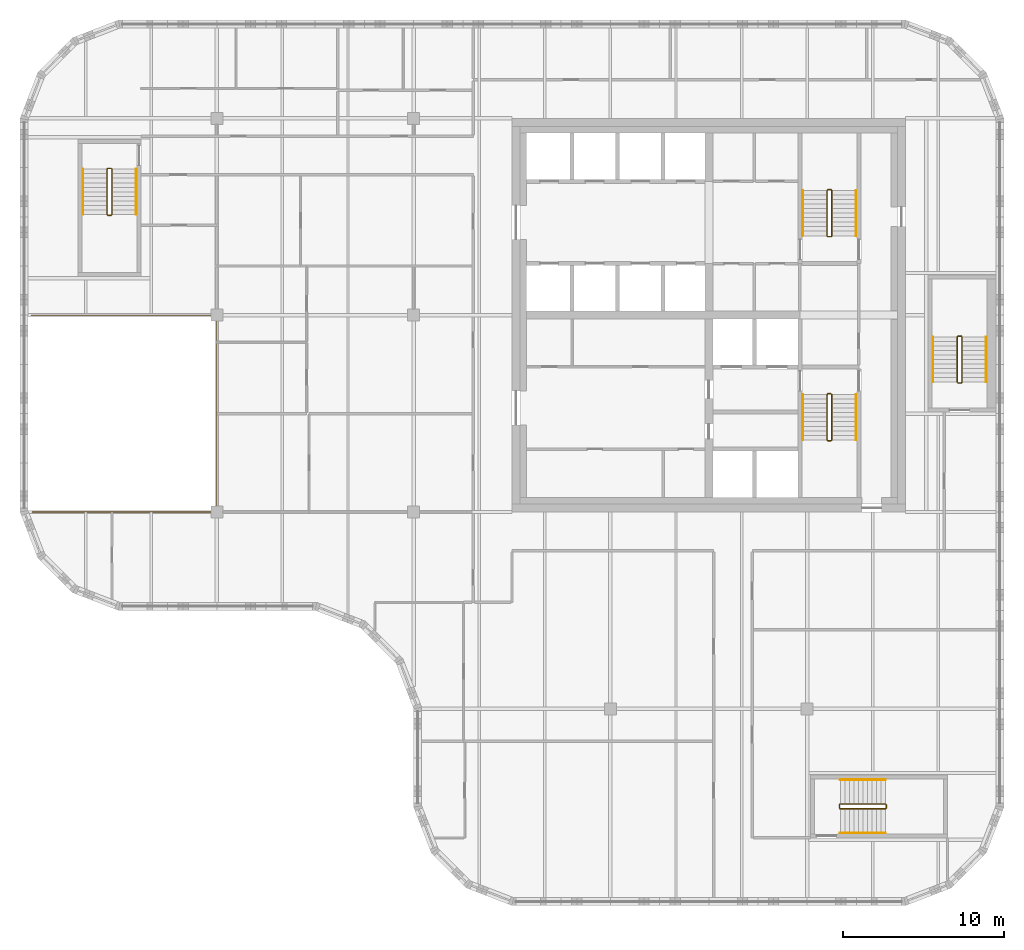
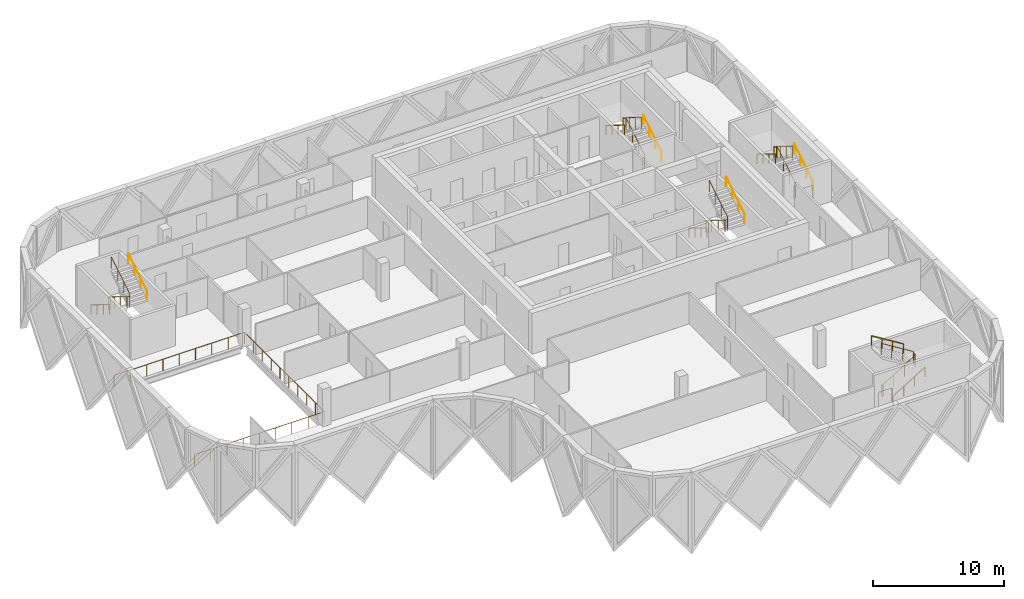
# One storey, part 15 of 15: 16 railings.
"""IFC4 building model written with IfcOpenShell, lengths in metres."""

from ifc_helpers import new_model, si_unit, direction, frame, origin, origin_2d, place, context, subcontext, project, spatial, circle, extrude, material, type_object, element, save


model = new_model("IFC4")

# Units and contexts
model_context = context("Model", 3, precision=1e-05, world=origin(), true_north=direction((0.0, 1.0)))
body_context = subcontext(model_context, "Body", "Model", "MODEL_VIEW")
ifc_project = project(units=[si_unit("LENGTHUNIT", "METRE"), si_unit("AREAUNIT", "SQUARE_METRE"), si_unit("VOLUMEUNIT", "CUBIC_METRE"), si_unit("PLANEANGLEUNIT", "RADIAN"), si_unit("MASSUNIT", "GRAM", prefix="KILO")], contexts=[model_context])

# Site, building, storey
site_placement = place(None, origin())
site = spatial("IfcSite", under=ifc_project, at=site_placement, CompositionType="ELEMENT")
building_placement = place(site_placement, origin())
building = spatial("IfcBuilding", under=site, at=building_placement, Name="Tessera Gate Towers", CompositionType="ELEMENT")
storey_placement = place(building_placement, frame((0.0, 0.0, 228.300048828125)))
storey = spatial("IfcBuildingStorey", under=building, at=storey_placement, Name="L57", CompositionType="ELEMENT", Elevation=228.300048828125)

# Railings
ifc_material_1 = material(Name="Toughened glass with stainless steel handrail", Category="steel")
railing_type_1 = type_object("IfcRailingType", Name="GUARD 1100 GLASS BALUSTRADE", PredefinedType="GUARDRAIL", material=ifc_material_1)
railing_1_placement = place(storey_placement, frame((0.750244140625, 24.39990234375, 0.0)))
element("IfcRailing", 1, at=railing_1_placement, inside=storey, type_object=railing_type_1, Name="Guard", PredefinedType="GUARDRAIL", context=body_context, shape_type="SweptSolid", body=[
    extrude(circle(Radius=0.02490234375, at=origin_2d()), frame((0.0, 0.0, 1.0751953125), z_axis=(1.0, 0.0, 0.0), x_axis=(0.0, 1.0, 0.0)), (0.0, 0.0, 1.0), 11.44970703125),
    extrude(circle(Radius=0.02490234375, at=origin_2d()), frame((11.44970703125, 0.0, 1.0751953125), z_axis=(0.0, 1.0, 0.0), x_axis=(-1.0, 0.0, 0.0)), (0.0, 0.0, 1.0), 12.2001953125),
    extrude(circle(Radius=0.02490234375, at=origin_2d()), frame((11.44970703125, 12.2001953125, 1.0751953125), z_axis=(-1.0, 0.0, 0.0), x_axis=(0.0, -1.0, 0.0)), (0.0, 0.0, 1.0), 11.5),
    extrude(circle(Radius=0.02490234375, at=origin_2d()), origin(), (0.0, 0.0, 1.0), 1.050048828125),
    extrude(circle(Radius=0.02490234375, at=origin_2d()), frame((1.43115234375, 0.0, 0.0)), (0.0, 0.0, 1.0), 1.050048828125),
    extrude(circle(Radius=0.02490234375, at=origin_2d()), frame((2.8623046875, 0.0, 0.0)), (0.0, 0.0, 1.0), 1.050048828125),
    extrude(circle(Radius=0.02490234375, at=origin_2d()), frame((4.293701171875, 0.0, 0.0)), (0.0, 0.0, 1.0), 1.050048828125),
    extrude(circle(Radius=0.02490234375, at=origin_2d()), frame((5.724853515625, 0.0, 0.0)), (0.0, 0.0, 1.0), 1.050048828125),
    extrude(circle(Radius=0.02490234375, at=origin_2d()), frame((7.156005859375, 0.0, 0.0)), (0.0, 0.0, 1.0), 1.050048828125),
    extrude(circle(Radius=0.02490234375, at=origin_2d()), frame((8.58740234375, 0.0, 0.0)), (0.0, 0.0, 1.0), 1.050048828125),
    extrude(circle(Radius=0.02490234375, at=origin_2d()), frame((10.0185546875, 0.0, 0.0)), (0.0, 0.0, 1.0), 1.050048828125),
    extrude(circle(Radius=0.02490234375, at=origin_2d()), frame((11.44970703125, 0.0, 0.0)), (0.0, 0.0, 1.0), 1.050048828125),
    extrude(circle(Radius=0.02490234375, at=origin_2d()), frame((11.44970703125, 1.35546875, 0.0)), (0.0, 0.0, 1.0), 1.050048828125),
    extrude(circle(Radius=0.02490234375, at=origin_2d()), frame((11.44970703125, 2.711181640625, 0.0)), (0.0, 0.0, 1.0), 1.050048828125),
    extrude(circle(Radius=0.02490234375, at=origin_2d()), frame((11.44970703125, 4.066650390625, 0.0)), (0.0, 0.0, 1.0), 1.050048828125),
    extrude(circle(Radius=0.02490234375, at=origin_2d()), frame((11.44970703125, 5.42236328125, 0.0)), (0.0, 0.0, 1.0), 1.050048828125),
    extrude(circle(Radius=0.02490234375, at=origin_2d()), frame((11.44970703125, 6.77783203125, 0.0)), (0.0, 0.0, 1.0), 1.050048828125),
    extrude(circle(Radius=0.02490234375, at=origin_2d()), frame((11.44970703125, 8.133544921875, 0.0)), (0.0, 0.0, 1.0), 1.050048828125),
    extrude(circle(Radius=0.02490234375, at=origin_2d()), frame((11.44970703125, 9.489013671875, 0.0)), (0.0, 0.0, 1.0), 1.050048828125),
    extrude(circle(Radius=0.02490234375, at=origin_2d()), frame((11.44970703125, 10.8447265625, 0.0)), (0.0, 0.0, 1.0), 1.050048828125),
    extrude(circle(Radius=0.02490234375, at=origin_2d()), frame((11.44970703125, 12.2001953125, 0.0)), (0.0, 0.0, 1.0), 1.050048828125),
    extrude(circle(Radius=0.02490234375, at=origin_2d()), frame((10.01220703125, 12.2001953125, 0.0)), (0.0, 0.0, 1.0), 1.050048828125),
    extrude(circle(Radius=0.02490234375, at=origin_2d()), frame((8.57470703125, 12.2001953125, 0.0)), (0.0, 0.0, 1.0), 1.050048828125),
    extrude(circle(Radius=0.02490234375, at=origin_2d()), frame((7.13720703125, 12.2001953125, 0.0)), (0.0, 0.0, 1.0), 1.050048828125),
    extrude(circle(Radius=0.02490234375, at=origin_2d()), frame((5.69970703125, 12.2001953125, 0.0)), (0.0, 0.0, 1.0), 1.050048828125),
    extrude(circle(Radius=0.02490234375, at=origin_2d()), frame((4.26220703125, 12.2001953125, 0.0)), (0.0, 0.0, 1.0), 1.050048828125),
    extrude(circle(Radius=0.02490234375, at=origin_2d()), frame((2.82470703125, 12.2001953125, 0.0)), (0.0, 0.0, 1.0), 1.050048828125),
    extrude(circle(Radius=0.02490234375, at=origin_2d()), frame((1.38720703125, 12.2001953125, 0.0)), (0.0, 0.0, 1.0), 1.050048828125),
    extrude(circle(Radius=0.02490234375, at=origin_2d()), frame((-0.05029296875, 12.2001953125, 0.0)), (0.0, 0.0, 1.0), 1.050048828125),
])
ifc_material_2 = material(Name="Steel 350W", Category="steel")
railing_type_2 = type_object("IfcRailingType", Name="STAIR GUARD 1100", PredefinedType="GUARDRAIL", material=ifc_material_2)
railing_2_placement = place(storey_placement, frame((50.27490234375, 31.72509765625, 0.0)))
element("IfcRailing", 2, at=railing_2_placement, inside=storey, type_object=railing_type_2, Name="L57 ST1 stair guard 1", PredefinedType="GUARDRAIL", context=body_context, shape_type="SweptSolid", body=[
    extrude(circle(Radius=0.02392578125, at=origin_2d()), frame((0.0, 0.0, 1.076171875), z_axis=(-1.0, 0.0, 0.0), x_axis=(0.0, -1.0, 0.0)), (0.0, 0.0, 1.0), 0.199951171875),
    extrude(circle(Radius=0.02392578125, at=origin_2d()), frame((-0.199951171875, 0.0, 1.076171875), z_axis=(-0.268277960024, -0.268277960024, 0.925231793839), x_axis=(0.707106781187, -0.707106781187, 0.0)), (0.0, 0.0, 1.0), 0.1865234375),
    extrude(circle(Radius=0.02392578125, at=origin_2d()), frame((-0.25, -0.050048828125, 1.24853515625), z_axis=(0.0, -0.851089632645, 0.525020415988), x_axis=(1.0, 0.0, 0.0)), (0.0, 0.0, 1.0), 3.2900390625),
    extrude(circle(Radius=0.02392578125, at=origin_2d()), frame((-0.25, -2.85009765625, 2.97607421875), z_axis=(0.707106781187, -0.707106781187, 0.0), x_axis=(0.707106781187, 0.707106781187, 0.0)), (0.0, 0.0, 1.0), 0.07080078125),
    extrude(circle(Radius=0.02392578125, at=origin_2d()), frame((-0.199951171875, -2.900146484375, 2.97607421875), z_axis=(1.0, 0.0, 0.0), x_axis=(0.0, 1.0, 0.0)), (0.0, 0.0, 1.0), 0.199951171875),
    extrude(circle(Radius=0.02392578125, at=origin_2d()), frame((0.0, -2.900146484375, 2.97607421875), z_axis=(0.267953482034, 0.267953482034, 0.925419830635), x_axis=(-0.707106781187, 0.707106781187, 0.0)), (0.0, 0.0, 1.0), 0.186767578125),
    extrude(circle(Radius=0.02392578125, at=origin_2d()), frame((0.050048828125, -2.85009765625, 3.14892578125), z_axis=(0.0, 0.851089632645, 0.525020415988), x_axis=(-1.0, 0.0, 0.0)), (0.0, 0.0, 1.0), 3.2900390625),
    extrude(circle(Radius=0.02099609375, at=origin_2d()), origin(), (0.0, 0.0, 1.0), 1.052001953125),
    extrude(circle(Radius=0.02099609375, at=origin_2d()), frame((-0.199951171875, 0.0, 0.0)), (0.0, 0.0, 1.0), 1.052001953125),
    extrude(circle(Radius=0.02099609375, at=origin_2d()), frame((-0.25, -0.050048828125, 0.172607421875)), (0.0, 0.0, 1.0), 1.052001953125),
    extrude(circle(Radius=0.02099609375, at=origin_2d()), frame((-0.25, -0.9833984375, 0.748291015625)), (0.0, 0.0, 1.0), 1.052001953125),
    extrude(circle(Radius=0.02099609375, at=origin_2d()), frame((-0.25, -1.916748046875, 1.32421875)), (0.0, 0.0, 1.0), 1.052001953125),
    extrude(circle(Radius=0.02099609375, at=origin_2d()), frame((-0.25, -2.85009765625, 1.89990234375)), (0.0, 0.0, 1.0), 1.052001953125),
    extrude(circle(Radius=0.02099609375, at=origin_2d()), frame((-0.199951171875, -2.900146484375, 1.89990234375)), (0.0, 0.0, 1.0), 1.052001953125),
    extrude(circle(Radius=0.02099609375, at=origin_2d()), frame((0.0, -2.900146484375, 1.89990234375)), (0.0, 0.0, 1.0), 1.052001953125),
    extrude(circle(Radius=0.02099609375, at=origin_2d()), frame((0.050048828125, -2.85009765625, 2.07275390625)), (0.0, 0.0, 1.0), 1.052001953125),
    extrude(circle(Radius=0.02099609375, at=origin_2d()), frame((0.050048828125, -1.916748046875, 2.6484375)), (0.0, 0.0, 1.0), 1.052001953125),
    extrude(circle(Radius=0.02099609375, at=origin_2d()), frame((0.050048828125, -0.9833984375, 3.224365234375)), (0.0, 0.0, 1.0), 1.052001953125),
    extrude(circle(Radius=0.02099609375, at=origin_2d()), frame((0.050048828125, -0.050048828125, 3.800048828125)), (0.0, 0.0, 1.0), 1.052001953125),
])
railing_3_placement = place(storey_placement, frame((50.074951171875, 41.47509765625, 0.0)))
element("IfcRailing", 3, at=railing_3_placement, inside=storey, type_object=railing_type_2, Name="L57 ST2 stair guard 1", PredefinedType="GUARDRAIL", context=body_context, shape_type="SweptSolid", body=[
    extrude(circle(Radius=0.02392578125, at=origin_2d()), frame((0.0, 0.0, 1.076171875), z_axis=(1.0, 0.0, 0.0), x_axis=(0.0, 1.0, 0.0)), (0.0, 0.0, 1.0), 0.199951171875),
    extrude(circle(Radius=0.02392578125, at=origin_2d()), frame((0.199951171875, 0.0, 1.076171875), z_axis=(0.268371968888, 0.267062837333, 0.925556009775), x_axis=(-0.705375805398, 0.708833529934, 0.0)), (0.0, 0.0, 1.0), 0.1865234375),
    extrude(circle(Radius=0.02392578125, at=origin_2d()), frame((0.25, 0.0498046875, 1.24853515625), z_axis=(0.0, 0.851089632645, 0.525020415988), x_axis=(-1.0, 0.0, 0.0)), (0.0, 0.0, 1.0), 3.2900390625),
    extrude(circle(Radius=0.02392578125, at=origin_2d()), frame((0.25, 2.849853515625, 2.97607421875), z_axis=(-0.707106781187, 0.707106781187, 0.0), x_axis=(-0.707106781187, -0.707106781187, 0.0)), (0.0, 0.0, 1.0), 0.07080078125),
    extrude(circle(Radius=0.02392578125, at=origin_2d()), frame((0.199951171875, 2.89990234375, 2.97607421875), z_axis=(-1.0, 0.0, 0.0), x_axis=(0.0, -1.0, 0.0)), (0.0, 0.0, 1.0), 0.199951171875),
    extrude(circle(Radius=0.02392578125, at=origin_2d()), frame((0.0, 2.89990234375, 2.97607421875), z_axis=(-0.267953482034, -0.267953482034, 0.925419830635), x_axis=(0.707106781187, -0.707106781187, 0.0)), (0.0, 0.0, 1.0), 0.186767578125),
    extrude(circle(Radius=0.02392578125, at=origin_2d()), frame((-0.050048828125, 2.849853515625, 3.14892578125), z_axis=(0.0, -0.851089632645, 0.525020415988), x_axis=(1.0, 0.0, 0.0)), (0.0, 0.0, 1.0), 3.2900390625),
    extrude(circle(Radius=0.02099609375, at=origin_2d()), origin(), (0.0, 0.0, 1.0), 1.052001953125),
    extrude(circle(Radius=0.02099609375, at=origin_2d()), frame((0.199951171875, 0.0, 0.0)), (0.0, 0.0, 1.0), 1.052001953125),
    extrude(circle(Radius=0.02099609375, at=origin_2d()), frame((0.25, 0.0498046875, 0.172607421875)), (0.0, 0.0, 1.0), 1.052001953125),
    extrude(circle(Radius=0.02099609375, at=origin_2d()), frame((0.25, 0.983154296875, 0.748291015625)), (0.0, 0.0, 1.0), 1.052001953125),
    extrude(circle(Radius=0.02099609375, at=origin_2d()), frame((0.25, 1.91650390625, 1.32421875)), (0.0, 0.0, 1.0), 1.052001953125),
    extrude(circle(Radius=0.02099609375, at=origin_2d()), frame((0.25, 2.849853515625, 1.89990234375)), (0.0, 0.0, 1.0), 1.052001953125),
    extrude(circle(Radius=0.02099609375, at=origin_2d()), frame((0.199951171875, 2.89990234375, 1.89990234375)), (0.0, 0.0, 1.0), 1.052001953125),
    extrude(circle(Radius=0.02099609375, at=origin_2d()), frame((0.0, 2.89990234375, 1.89990234375)), (0.0, 0.0, 1.0), 1.052001953125),
    extrude(circle(Radius=0.02099609375, at=origin_2d()), frame((-0.050048828125, 2.849853515625, 2.07275390625)), (0.0, 0.0, 1.0), 1.052001953125),
    extrude(circle(Radius=0.02099609375, at=origin_2d()), frame((-0.050048828125, 1.91650390625, 2.6484375)), (0.0, 0.0, 1.0), 1.052001953125),
    extrude(circle(Radius=0.02099609375, at=origin_2d()), frame((-0.050048828125, 0.983154296875, 3.224365234375)), (0.0, 0.0, 1.0), 1.052001953125),
    extrude(circle(Radius=0.02099609375, at=origin_2d()), frame((-0.050048828125, 0.0498046875, 3.800048828125)), (0.0, 0.0, 1.0), 1.052001953125),
])
railing_4_placement = place(storey_placement, frame((5.64990234375, 45.699951171875, 0.0)))
element("IfcRailing", 4, at=railing_4_placement, inside=storey, type_object=railing_type_2, Name="L57 ST3 stair guard 1", PredefinedType="GUARDRAIL", context=body_context, shape_type="SweptSolid", body=[
    extrude(circle(Radius=0.02392578125, at=origin_2d()), frame((0.0, 0.0, 1.076171875), z_axis=(-1.0, 0.0, 0.0), x_axis=(0.0, -1.0, 0.0)), (0.0, 0.0, 1.0), 0.199951171875),
    extrude(circle(Radius=0.02392578125, at=origin_2d()), frame((-0.199951171875, 0.0, 1.076171875), z_axis=(-0.268277960024, -0.268277960024, 0.925231793839), x_axis=(0.707106781187, -0.707106781187, 0.0)), (0.0, 0.0, 1.0), 0.1865234375),
    extrude(circle(Radius=0.02392578125, at=origin_2d()), frame((-0.25, -0.050048828125, 1.24853515625), z_axis=(0.0, -0.851069175582, 0.525053576669), x_axis=(1.0, 0.0, 0.0)), (0.0, 0.0, 1.0), 3.289794921875),
    extrude(circle(Radius=0.02392578125, at=origin_2d()), frame((-0.25, -2.849853515625, 2.97607421875), z_axis=(0.707106781187, -0.707106781187, 0.0), x_axis=(0.707106781187, 0.707106781187, 0.0)), (0.0, 0.0, 1.0), 0.07080078125),
    extrude(circle(Radius=0.02392578125, at=origin_2d()), frame((-0.199951171875, -2.89990234375, 2.97607421875), z_axis=(1.0, 0.0, 0.0), x_axis=(0.0, 1.0, 0.0)), (0.0, 0.0, 1.0), 0.199951171875),
    extrude(circle(Radius=0.02392578125, at=origin_2d()), frame((0.0, -2.89990234375, 2.97607421875), z_axis=(0.267953482034, 0.267953482034, 0.925419830635), x_axis=(-0.707106781187, 0.707106781187, 0.0)), (0.0, 0.0, 1.0), 0.186767578125),
    extrude(circle(Radius=0.02392578125, at=origin_2d()), frame((0.050048828125, -2.849853515625, 3.14892578125), z_axis=(0.0, 0.851069175582, 0.525053576669), x_axis=(-1.0, 0.0, 0.0)), (0.0, 0.0, 1.0), 3.289794921875),
    extrude(circle(Radius=0.02099609375, at=origin_2d()), origin(), (0.0, 0.0, 1.0), 1.052001953125),
    extrude(circle(Radius=0.02099609375, at=origin_2d()), frame((-0.199951171875, 0.0, 0.0)), (0.0, 0.0, 1.0), 1.052001953125),
    extrude(circle(Radius=0.02099609375, at=origin_2d()), frame((-0.25, -0.050048828125, 0.172607421875)), (0.0, 0.0, 1.0), 1.052001953125),
    extrude(circle(Radius=0.02099609375, at=origin_2d()), frame((-0.25, -0.9833984375, 0.748291015625)), (0.0, 0.0, 1.0), 1.052001953125),
    extrude(circle(Radius=0.02099609375, at=origin_2d()), frame((-0.25, -1.91650390625, 1.32421875)), (0.0, 0.0, 1.0), 1.052001953125),
    extrude(circle(Radius=0.02099609375, at=origin_2d()), frame((-0.25, -2.849853515625, 1.89990234375)), (0.0, 0.0, 1.0), 1.052001953125),
    extrude(circle(Radius=0.02099609375, at=origin_2d()), frame((-0.199951171875, -2.89990234375, 1.89990234375)), (0.0, 0.0, 1.0), 1.052001953125),
    extrude(circle(Radius=0.02099609375, at=origin_2d()), frame((0.0, -2.89990234375, 1.89990234375)), (0.0, 0.0, 1.0), 1.052001953125),
    extrude(circle(Radius=0.02099609375, at=origin_2d()), frame((0.050048828125, -2.849853515625, 2.07275390625)), (0.0, 0.0, 1.0), 1.052001953125),
    extrude(circle(Radius=0.02099609375, at=origin_2d()), frame((0.050048828125, -1.91650390625, 2.6484375)), (0.0, 0.0, 1.0), 1.052001953125),
    extrude(circle(Radius=0.02099609375, at=origin_2d()), frame((0.050048828125, -0.9833984375, 3.224365234375)), (0.0, 0.0, 1.0), 1.052001953125),
    extrude(circle(Radius=0.02099609375, at=origin_2d()), frame((0.050048828125, -0.050048828125, 3.800048828125)), (0.0, 0.0, 1.0), 1.052001953125),
])
railing_5_placement = place(storey_placement, frame((50.800048828125, 6.25, 0.0)))
element("IfcRailing", 5, at=railing_5_placement, inside=storey, type_object=railing_type_2, Name="L57 ST4 stair guard 1", PredefinedType="GUARDRAIL", context=body_context, shape_type="SweptSolid", body=[
    extrude(circle(Radius=0.02392578125, at=origin_2d()), frame((0.0, 0.0, 1.076171875), z_axis=(0.0, -1.0, 0.0), x_axis=(1.0, 0.0, 0.0)), (0.0, 0.0, 1.0), 0.199951171875),
    extrude(circle(Radius=0.02392578125, at=origin_2d()), frame((0.0, -0.199951171875, 1.076171875), z_axis=(0.268277960024, -0.268277960024, 0.925231793839), x_axis=(0.707106781187, 0.707106781187, 0.0)), (0.0, 0.0, 1.0), 0.1865234375),
    extrude(circle(Radius=0.02392578125, at=origin_2d()), frame((0.050048828125, -0.25, 1.24853515625), z_axis=(0.851069175582, 0.0, 0.525053576669), x_axis=(0.0, 1.0, 0.0)), (0.0, 0.0, 1.0), 3.289794921875),
    extrude(circle(Radius=0.02392578125, at=origin_2d()), frame((2.849853515625, -0.25, 2.97607421875), z_axis=(0.707106781187, 0.707106781187, 0.0), x_axis=(-0.707106781187, 0.707106781187, 0.0)), (0.0, 0.0, 1.0), 0.07080078125),
    extrude(circle(Radius=0.02392578125, at=origin_2d()), frame((2.89990234375, -0.199951171875, 2.97607421875), z_axis=(0.0, 1.0, 0.0), x_axis=(-1.0, 0.0, 0.0)), (0.0, 0.0, 1.0), 0.199951171875),
    extrude(circle(Radius=0.02392578125, at=origin_2d()), frame((2.89990234375, 0.0, 2.97607421875), z_axis=(-0.267953482034, 0.267953482034, 0.925419830635), x_axis=(-0.707106781187, -0.707106781187, 0.0)), (0.0, 0.0, 1.0), 0.186767578125),
    extrude(circle(Radius=0.02392578125, at=origin_2d()), frame((2.849853515625, 0.050048828125, 3.14892578125), z_axis=(-0.851069175582, 0.0, 0.525053576669), x_axis=(0.0, -1.0, 0.0)), (0.0, 0.0, 1.0), 3.289794921875),
    extrude(circle(Radius=0.02099609375, at=origin_2d()), origin(), (0.0, 0.0, 1.0), 1.052001953125),
    extrude(circle(Radius=0.02099609375, at=origin_2d()), frame((0.0, -0.199951171875, 0.0)), (0.0, 0.0, 1.0), 1.052001953125),
    extrude(circle(Radius=0.02099609375, at=origin_2d()), frame((0.050048828125, -0.25, 0.172607421875)), (0.0, 0.0, 1.0), 1.052001953125),
    extrude(circle(Radius=0.02099609375, at=origin_2d()), frame((0.9833984375, -0.25, 0.748291015625)), (0.0, 0.0, 1.0), 1.052001953125),
    extrude(circle(Radius=0.02099609375, at=origin_2d()), frame((1.91650390625, -0.25, 1.32421875)), (0.0, 0.0, 1.0), 1.052001953125),
    extrude(circle(Radius=0.02099609375, at=origin_2d()), frame((2.849853515625, -0.25, 1.89990234375)), (0.0, 0.0, 1.0), 1.052001953125),
    extrude(circle(Radius=0.02099609375, at=origin_2d()), frame((2.89990234375, -0.199951171875, 1.89990234375)), (0.0, 0.0, 1.0), 1.052001953125),
    extrude(circle(Radius=0.02099609375, at=origin_2d()), frame((2.89990234375, 0.0, 1.89990234375)), (0.0, 0.0, 1.0), 1.052001953125),
    extrude(circle(Radius=0.02099609375, at=origin_2d()), frame((2.849853515625, 0.050048828125, 2.07275390625)), (0.0, 0.0, 1.0), 1.052001953125),
    extrude(circle(Radius=0.02099609375, at=origin_2d()), frame((1.91650390625, 0.050048828125, 2.6484375)), (0.0, 0.0, 1.0), 1.052001953125),
    extrude(circle(Radius=0.02099609375, at=origin_2d()), frame((0.9833984375, 0.050048828125, 3.224365234375)), (0.0, 0.0, 1.0), 1.052001953125),
    extrude(circle(Radius=0.02099609375, at=origin_2d()), frame((0.050048828125, 0.050048828125, 3.800048828125)), (0.0, 0.0, 1.0), 1.052001953125),
])
railing_6_placement = place(storey_placement, frame((58.14990234375, 32.39990234375, 0.0)))
element("IfcRailing", 6, at=railing_6_placement, inside=storey, type_object=railing_type_2, Name="L57 ST5 stair guard 1", PredefinedType="GUARDRAIL", context=body_context, shape_type="SweptSolid", body=[
    extrude(circle(Radius=0.02392578125, at=origin_2d()), frame((0.0, 0.0, 1.076171875), z_axis=(1.0, 0.0, 0.0), x_axis=(0.0, 1.0, 0.0)), (0.0, 0.0, 1.0), 0.2001953125),
    extrude(circle(Radius=0.02392578125, at=origin_2d()), frame((0.2001953125, 0.0, 1.076171875), z_axis=(0.267062837333, 0.268371968888, 0.925556009775), x_axis=(-0.708833529934, 0.705375805398, 0.0)), (0.0, 0.0, 1.0), 0.1865234375),
    extrude(circle(Radius=0.02392578125, at=origin_2d()), frame((0.25, 0.050048828125, 1.24853515625), z_axis=(0.0, 0.851089632645, 0.525020415988), x_axis=(-1.0, 0.0, 0.0)), (0.0, 0.0, 1.0), 3.2900390625),
    extrude(circle(Radius=0.02392578125, at=origin_2d()), frame((0.25, 2.85009765625, 2.97607421875), z_axis=(-0.705375805398, 0.708833529934, 0.0), x_axis=(-0.708833529934, -0.705375805398, 0.0)), (0.0, 0.0, 1.0), 0.070556640625),
    extrude(circle(Radius=0.02392578125, at=origin_2d()), frame((0.2001953125, 2.900146484375, 2.97607421875), z_axis=(-1.0, 0.0, 0.0), x_axis=(0.0, -1.0, 0.0)), (0.0, 0.0, 1.0), 0.2001953125),
    extrude(circle(Radius=0.02392578125, at=origin_2d()), frame((0.0, 2.900146484375, 2.97607421875), z_axis=(-0.266739603011, -0.268047150085, 0.925743328097), x_axis=(0.708833529934, -0.705375805398, 0.0)), (0.0, 0.0, 1.0), 0.186767578125),
    extrude(circle(Radius=0.02392578125, at=origin_2d()), frame((-0.0498046875, 2.85009765625, 3.14892578125), z_axis=(0.0, -0.851089632645, 0.525020415988), x_axis=(1.0, 0.0, 0.0)), (0.0, 0.0, 1.0), 3.2900390625),
    extrude(circle(Radius=0.02099609375, at=origin_2d()), origin(), (0.0, 0.0, 1.0), 1.052001953125),
    extrude(circle(Radius=0.02099609375, at=origin_2d()), frame((0.2001953125, 0.0, 0.0)), (0.0, 0.0, 1.0), 1.052001953125),
    extrude(circle(Radius=0.02099609375, at=origin_2d()), frame((0.25, 0.050048828125, 0.172607421875)), (0.0, 0.0, 1.0), 1.052001953125),
    extrude(circle(Radius=0.02099609375, at=origin_2d()), frame((0.25, 0.9833984375, 0.748291015625)), (0.0, 0.0, 1.0), 1.052001953125),
    extrude(circle(Radius=0.02099609375, at=origin_2d()), frame((0.25, 1.916748046875, 1.32421875)), (0.0, 0.0, 1.0), 1.052001953125),
    extrude(circle(Radius=0.02099609375, at=origin_2d()), frame((0.25, 2.85009765625, 1.89990234375)), (0.0, 0.0, 1.0), 1.052001953125),
    extrude(circle(Radius=0.02099609375, at=origin_2d()), frame((0.2001953125, 2.900146484375, 1.89990234375)), (0.0, 0.0, 1.0), 1.052001953125),
    extrude(circle(Radius=0.02099609375, at=origin_2d()), frame((0.0, 2.900146484375, 1.89990234375)), (0.0, 0.0, 1.0), 1.052001953125),
    extrude(circle(Radius=0.02099609375, at=origin_2d()), frame((-0.0498046875, 2.85009765625, 2.07275390625)), (0.0, 0.0, 1.0), 1.052001953125),
    extrude(circle(Radius=0.02099609375, at=origin_2d()), frame((-0.0498046875, 1.916748046875, 2.6484375)), (0.0, 0.0, 1.0), 1.052001953125),
    extrude(circle(Radius=0.02099609375, at=origin_2d()), frame((-0.0498046875, 0.9833984375, 3.224365234375)), (0.0, 0.0, 1.0), 1.052001953125),
    extrude(circle(Radius=0.02099609375, at=origin_2d()), frame((-0.0498046875, 0.050048828125, 3.800048828125)), (0.0, 0.0, 1.0), 1.052001953125),
])
ifc_material_3 = material(Name="Steel 350W", Category="steel")
railing_type_3 = type_object("IfcRailingType", Name="STAIR HANDRAIL 900", PredefinedType="HANDRAIL", material=ifc_material_3)
railing_7_placement = place(storey_placement, frame((48.52490234375, 31.675048828125, 0.172607421875)))
element("IfcRailing", 7, at=railing_7_placement, inside=storey, type_object=railing_type_3, Name="L57 ST1 stair handrail 1", PredefinedType="HANDRAIL", context=body_context, shape_type="SweptSolid", body=[
    extrude(circle(Radius=0.02392578125, at=origin_2d()), frame((0.0, 0.0, 0.8759765625), z_axis=(0.0, -0.851089632645, 0.525020415988), x_axis=(1.0, 0.0, 0.0)), (0.0, 0.0, 1.0), 3.2900390625),
    extrude(circle(Radius=0.02099609375, at=origin_2d()), origin(), (0.0, 0.0, 1.0), 0.851806640625),
    extrude(circle(Radius=0.02099609375, at=origin_2d()), frame((0.0, -0.933349609375, 0.57568359375)), (0.0, 0.0, 1.0), 0.851806640625),
    extrude(circle(Radius=0.02099609375, at=origin_2d()), frame((0.0, -1.86669921875, 1.151611328125)), (0.0, 0.0, 1.0), 0.851806640625),
    extrude(circle(Radius=0.02099609375, at=origin_2d()), frame((0.0, -2.800048828125, 1.727294921875)), (0.0, 0.0, 1.0), 0.851806640625),
])
for number, where, name in (
    (8, (51.824951171875, 28.875, 2.07275390625), "L57 ST1 stair handrail 2"),
    (9, (51.824951171875, 41.52490234375, 0.172607421875), "L57 ST2 stair handrail 1"),
):
    element("IfcRailing", number, at=place(storey_placement, frame(where)), inside=storey, type_object=railing_type_3, Name=name, PredefinedType="HANDRAIL", context=body_context, shape_type="SweptSolid", body=[
        extrude(circle(Radius=0.02392578125, at=origin_2d()), frame((0.0, 0.0, 0.8759765625), z_axis=(0.0, 0.851089632645, 0.525020415988), x_axis=(-1.0, 0.0, 0.0)), (0.0, 0.0, 1.0), 3.2900390625),
        extrude(circle(Radius=0.02099609375, at=origin_2d()), origin(), (0.0, 0.0, 1.0), 0.851806640625),
        extrude(circle(Radius=0.02099609375, at=origin_2d()), frame((0.0, 0.933349609375, 0.57568359375)), (0.0, 0.0, 1.0), 0.851806640625),
        extrude(circle(Radius=0.02099609375, at=origin_2d()), frame((0.0, 1.86669921875, 1.151611328125)), (0.0, 0.0, 1.0), 0.851806640625),
        extrude(circle(Radius=0.02099609375, at=origin_2d()), frame((0.0, 2.800048828125, 1.727294921875)), (0.0, 0.0, 1.0), 0.851806640625),
    ])
railing_8_placement = place(storey_placement, frame((48.52490234375, 44.324951171875, 2.07275390625)))
element("IfcRailing", 10, at=railing_8_placement, inside=storey, type_object=railing_type_3, Name="L57 ST2 stair handrail 2", PredefinedType="HANDRAIL", context=body_context, shape_type="SweptSolid", body=[
    extrude(circle(Radius=0.02392578125, at=origin_2d()), frame((0.0, 0.0, 0.8759765625), z_axis=(0.0, -0.851089632645, 0.525020415988), x_axis=(1.0, 0.0, 0.0)), (0.0, 0.0, 1.0), 3.2900390625),
    extrude(circle(Radius=0.02099609375, at=origin_2d()), origin(), (0.0, 0.0, 1.0), 0.851806640625),
    extrude(circle(Radius=0.02099609375, at=origin_2d()), frame((0.0, -0.933349609375, 0.57568359375)), (0.0, 0.0, 1.0), 0.851806640625),
    extrude(circle(Radius=0.02099609375, at=origin_2d()), frame((0.0, -1.86669921875, 1.151611328125)), (0.0, 0.0, 1.0), 0.851806640625),
    extrude(circle(Radius=0.02099609375, at=origin_2d()), frame((0.0, -2.800048828125, 1.727294921875)), (0.0, 0.0, 1.0), 0.851806640625),
])
railing_9_placement = place(storey_placement, frame((3.89990234375, 45.64990234375, 0.172607421875)))
element("IfcRailing", 11, at=railing_9_placement, inside=storey, type_object=railing_type_3, Name="L57 ST3 stair handrail 1", PredefinedType="HANDRAIL", context=body_context, shape_type="SweptSolid", body=[
    extrude(circle(Radius=0.02392578125, at=origin_2d()), frame((0.0, 0.0, 0.8759765625), z_axis=(0.0, -0.851069175582, 0.525053576669), x_axis=(1.0, 0.0, 0.0)), (0.0, 0.0, 1.0), 3.289794921875),
    extrude(circle(Radius=0.02099609375, at=origin_2d()), origin(), (0.0, 0.0, 1.0), 0.851806640625),
    extrude(circle(Radius=0.02099609375, at=origin_2d()), frame((0.0, -0.933349609375, 0.57568359375)), (0.0, 0.0, 1.0), 0.851806640625),
    extrude(circle(Radius=0.02099609375, at=origin_2d()), frame((0.0, -1.866455078125, 1.151611328125)), (0.0, 0.0, 1.0), 0.851806640625),
    extrude(circle(Radius=0.02099609375, at=origin_2d()), frame((0.0, -2.7998046875, 1.727294921875)), (0.0, 0.0, 1.0), 0.851806640625),
])
railing_10_placement = place(storey_placement, frame((7.199951171875, 42.85009765625, 2.07275390625)))
element("IfcRailing", 12, at=railing_10_placement, inside=storey, type_object=railing_type_3, Name="L57 ST3 stair handrail 2", PredefinedType="HANDRAIL", context=body_context, shape_type="SweptSolid", body=[
    extrude(circle(Radius=0.02392578125, at=origin_2d()), frame((0.0, 0.0, 0.8759765625), z_axis=(0.0, 0.851069175582, 0.525053576669), x_axis=(-1.0, 0.0, 0.0)), (0.0, 0.0, 1.0), 3.289794921875),
    extrude(circle(Radius=0.02099609375, at=origin_2d()), origin(), (0.0, 0.0, 1.0), 0.851806640625),
    extrude(circle(Radius=0.02099609375, at=origin_2d()), frame((0.0, 0.933349609375, 0.57568359375)), (0.0, 0.0, 1.0), 0.851806640625),
    extrude(circle(Radius=0.02099609375, at=origin_2d()), frame((0.0, 1.866455078125, 1.151611328125)), (0.0, 0.0, 1.0), 0.851806640625),
    extrude(circle(Radius=0.02099609375, at=origin_2d()), frame((0.0, 2.7998046875, 1.727294921875)), (0.0, 0.0, 1.0), 0.851806640625),
])
railing_11_placement = place(storey_placement, frame((50.85009765625, 4.5, 0.172607421875)))
element("IfcRailing", 13, at=railing_11_placement, inside=storey, type_object=railing_type_3, Name="L57 ST4 stair handrail 1", PredefinedType="HANDRAIL", context=body_context, shape_type="SweptSolid", body=[
    extrude(circle(Radius=0.02392578125, at=origin_2d()), frame((0.0, 0.0, 0.8759765625), z_axis=(0.851069175582, 0.0, 0.525053576669), x_axis=(0.0, 1.0, 0.0)), (0.0, 0.0, 1.0), 3.289794921875),
    extrude(circle(Radius=0.02099609375, at=origin_2d()), origin(), (0.0, 0.0, 1.0), 0.851806640625),
    extrude(circle(Radius=0.02099609375, at=origin_2d()), frame((0.933349609375, 0.0, 0.57568359375)), (0.0, 0.0, 1.0), 0.851806640625),
    extrude(circle(Radius=0.02099609375, at=origin_2d()), frame((1.866455078125, 0.0, 1.151611328125)), (0.0, 0.0, 1.0), 0.851806640625),
    extrude(circle(Radius=0.02099609375, at=origin_2d()), frame((2.7998046875, 0.0, 1.727294921875)), (0.0, 0.0, 1.0), 0.851806640625),
])
railing_12_placement = place(storey_placement, frame((53.64990234375, 7.800048828125, 2.07275390625)))
element("IfcRailing", 14, at=railing_12_placement, inside=storey, type_object=railing_type_3, Name="L57 ST4 stair handrail 2", PredefinedType="HANDRAIL", context=body_context, shape_type="SweptSolid", body=[
    extrude(circle(Radius=0.02392578125, at=origin_2d()), frame((0.0, 0.0, 0.8759765625), z_axis=(-0.851069175582, 0.0, 0.525053576669), x_axis=(0.0, -1.0, 0.0)), (0.0, 0.0, 1.0), 3.289794921875),
    extrude(circle(Radius=0.02099609375, at=origin_2d()), origin(), (0.0, 0.0, 1.0), 0.851806640625),
    extrude(circle(Radius=0.02099609375, at=origin_2d()), frame((-0.933349609375, 0.0, 0.57568359375)), (0.0, 0.0, 1.0), 0.851806640625),
    extrude(circle(Radius=0.02099609375, at=origin_2d()), frame((-1.866455078125, 0.0, 1.151611328125)), (0.0, 0.0, 1.0), 0.851806640625),
    extrude(circle(Radius=0.02099609375, at=origin_2d()), frame((-2.7998046875, 0.0, 1.727294921875)), (0.0, 0.0, 1.0), 0.851806640625),
])
railing_13_placement = place(storey_placement, frame((59.89990234375, 32.449951171875, 0.172607421875)))
element("IfcRailing", 15, at=railing_13_placement, inside=storey, type_object=railing_type_3, Name="L57 ST5 stair handrail 1", PredefinedType="HANDRAIL", context=body_context, shape_type="SweptSolid", body=[
    extrude(circle(Radius=0.02392578125, at=origin_2d()), frame((0.0, 0.0, 0.8759765625), z_axis=(0.0, 0.851089632645, 0.525020415988), x_axis=(-1.0, 0.0, 0.0)), (0.0, 0.0, 1.0), 3.2900390625),
    extrude(circle(Radius=0.02099609375, at=origin_2d()), origin(), (0.0, 0.0, 1.0), 0.851806640625),
    extrude(circle(Radius=0.02099609375, at=origin_2d()), frame((0.0, 0.933349609375, 0.57568359375)), (0.0, 0.0, 1.0), 0.851806640625),
    extrude(circle(Radius=0.02099609375, at=origin_2d()), frame((0.0, 1.86669921875, 1.151611328125)), (0.0, 0.0, 1.0), 0.851806640625),
    extrude(circle(Radius=0.02099609375, at=origin_2d()), frame((0.0, 2.800048828125, 1.727294921875)), (0.0, 0.0, 1.0), 0.851806640625),
])
railing_14_placement = place(storey_placement, frame((56.60009765625, 35.25, 2.07275390625)))
element("IfcRailing", 16, at=railing_14_placement, inside=storey, type_object=railing_type_3, Name="L57 ST5 stair handrail 2", PredefinedType="HANDRAIL", context=body_context, shape_type="SweptSolid", body=[
    extrude(circle(Radius=0.02392578125, at=origin_2d()), frame((0.0, 0.0, 0.8759765625), z_axis=(0.0, -0.851089632645, 0.525020415988), x_axis=(1.0, 0.0, 0.0)), (0.0, 0.0, 1.0), 3.2900390625),
    extrude(circle(Radius=0.02099609375, at=origin_2d()), origin(), (0.0, 0.0, 1.0), 0.851806640625),
    extrude(circle(Radius=0.02099609375, at=origin_2d()), frame((0.0, -0.933349609375, 0.57568359375)), (0.0, 0.0, 1.0), 0.851806640625),
    extrude(circle(Radius=0.02099609375, at=origin_2d()), frame((0.0, -1.86669921875, 1.151611328125)), (0.0, 0.0, 1.0), 0.851806640625),
    extrude(circle(Radius=0.02099609375, at=origin_2d()), frame((0.0, -2.800048828125, 1.727294921875)), (0.0, 0.0, 1.0), 0.851806640625),
])

save(model, "model.ifc")
